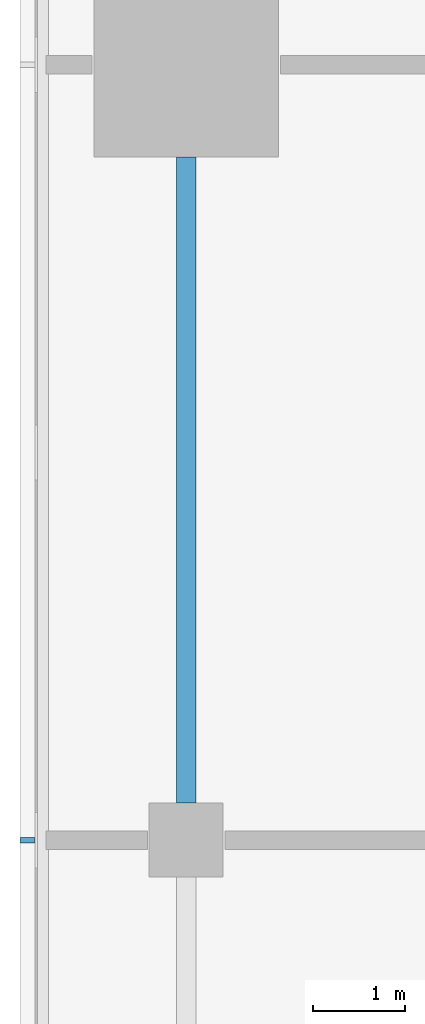
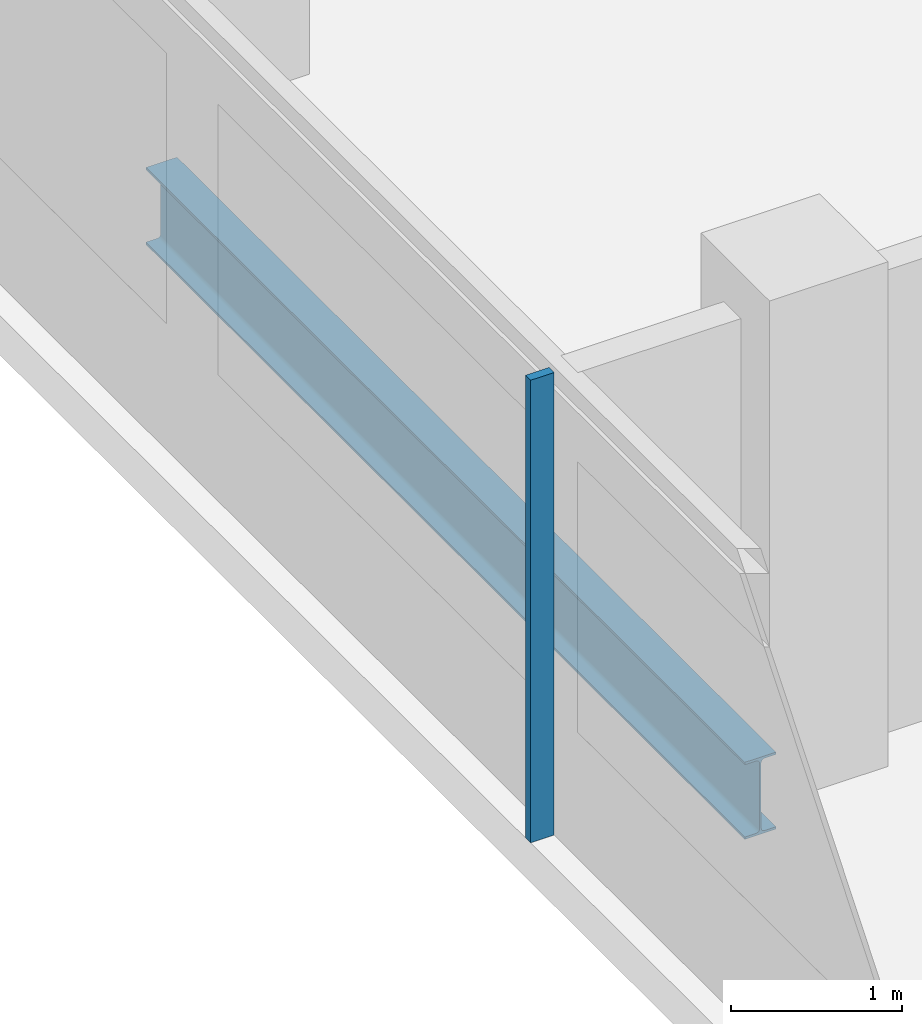
# One storey, part 6 of 26: 1 beam, 1 member, 1 element without a shape of its own.
"""IFC4 building model written with IfcOpenShell, lengths in metres."""

from ifc_helpers import new_model, si_unit, direction, frame, origin, origin_2d, place, context, subcontext, project, spatial, rectangle, i_section, extrude, material, material_profile, profile_set, type_object, element, aggregate, save


model = new_model("IFC4")

# Units and contexts
model_context = context("Model", 3, precision=1e-05, world=origin(), true_north=direction((0.0, 1.0)))
body_context = subcontext(model_context, "Body", "Model", "MODEL_VIEW")
ifc_project = project(units=[si_unit("LENGTHUNIT", "METRE"), si_unit("AREAUNIT", "SQUARE_METRE"), si_unit("VOLUMEUNIT", "CUBIC_METRE"), si_unit("PLANEANGLEUNIT", "RADIAN"), si_unit("MASSUNIT", "GRAM", prefix="KILO")], contexts=[model_context])

# Site, building, storey
site_placement = place(None, origin())
site = spatial("IfcSite", under=ifc_project, at=site_placement, CompositionType="ELEMENT")
building_placement = place(site_placement, origin())
building = spatial("IfcBuilding", under=site, at=building_placement, Name="Saffron Gate Tower", CompositionType="ELEMENT")
storey_placement = place(building_placement, frame((0.0, 0.0, 138.449951171875)))
storey = spatial("IfcBuildingStorey", under=building, at=storey_placement, Name="L33", CompositionType="ELEMENT", Elevation=138.449951171875)

# Beam
ifc_material_1 = material(Name="Structural steel S355", Category="steel")
ifc_material_profile_1 = material_profile(ifc_material_1, i_section(OverallWidth=0.2099609375, OverallDepth=0.550048828125, WebThickness=0.010986328125, FlangeThickness=0.01708984375, FilletRadius=0.02392578125, at=origin_2d()))
ifc_profile_set_1 = profile_set([ifc_material_profile_1], Name="Structural steel S355")
beam_type = type_object("IfcBeamType", Name="B13 IPE 550", PredefinedType="SPANDREL", material=ifc_profile_set_1)
beam_placement = place(storey_placement, frame((49.800048828125, 57.39990234375, -0.554931640625), z_axis=(0.0, 1.0, 0.0), x_axis=(-1.0, 0.0, 0.0)))
element("IfcBeam", 1, at=beam_placement, inside=storey, type_object=beam_type, Name="B13 SPANDREL BEAM", PredefinedType="SPANDREL", context=body_context, shape_type="SweptSolid", body=[
    extrude(i_section(OverallWidth=0.2099609375, OverallDepth=0.550048828125, WebThickness=0.010986328125, FlangeThickness=0.01708984375, FilletRadius=0.02392578125, at=origin_2d()), origin(), (0.0, 0.0, 1.0), 7.0),
])

# Curtain wall, member
ifc_material_2 = material(Name="Aluminium, bronze anodised", Category="aluminium")
curtain_wall_type = type_object("IfcCurtainWallType", Name="CWS2 curtain wall side facades", PredefinedType="NOTDEFINED", material=ifc_material_2)
curtain_wall_placement = place(storey_placement, origin())
curtain_wall = element("IfcCurtainWall", 2, at=curtain_wall_placement, inside=storey, type_object=curtain_wall_type, Name="CWS2 run 10", PredefinedType="NOTDEFINED")
ifc_material_profile_2 = material_profile(ifc_material_2, rectangle(XDim=0.159912109375, YDim=0.06005859375, at=origin_2d()))
ifc_profile_set_2 = profile_set([ifc_material_profile_2], Name="Aluminium, bronze anodised")
member_type = type_object("IfcMemberType", Name="CWS2 mullion 60x160", PredefinedType="MULLION", material=ifc_profile_set_2)
member_placement = place(storey_placement, frame((48.080078125, 57.0, 0.0), z_axis=(0.0, 0.0, 1.0), x_axis=(1.0, 0.0, 0.0)))
member = element("IfcMember", 3, at=member_placement, type_object=member_type, Name="CWS2 mullion 3", PredefinedType="MULLION", context=body_context, shape_type="SweptSolid", body=[
    extrude(rectangle(XDim=0.159912109375, YDim=0.06005859375, at=origin_2d()), origin(), (0.0, 0.0, 1.0), 3.300048828125),
])
aggregate(curtain_wall, [member])

save(model, "model.ifc")
